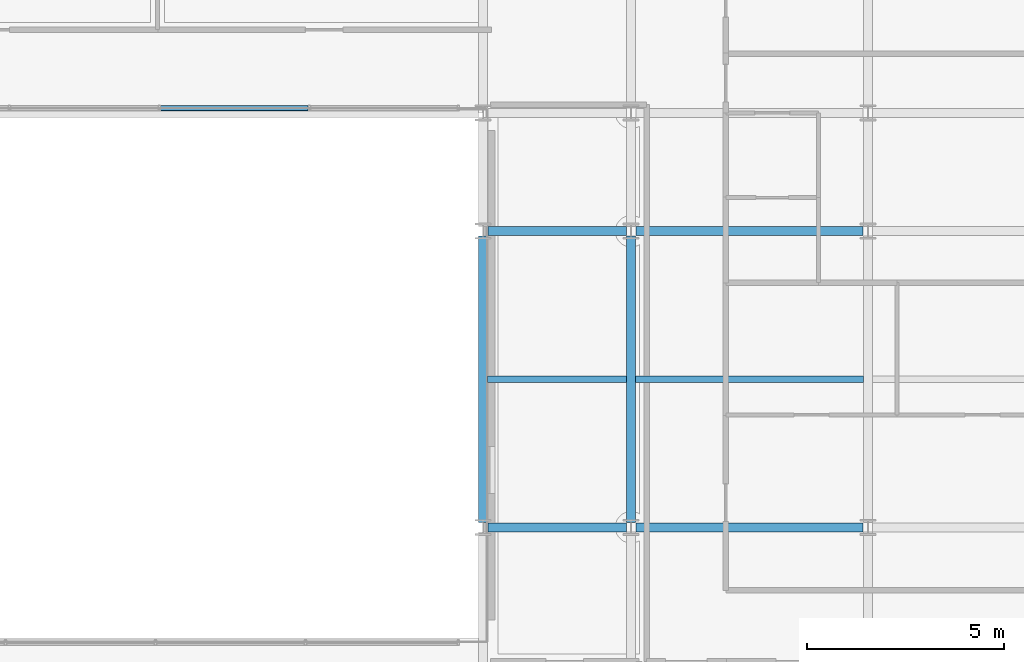
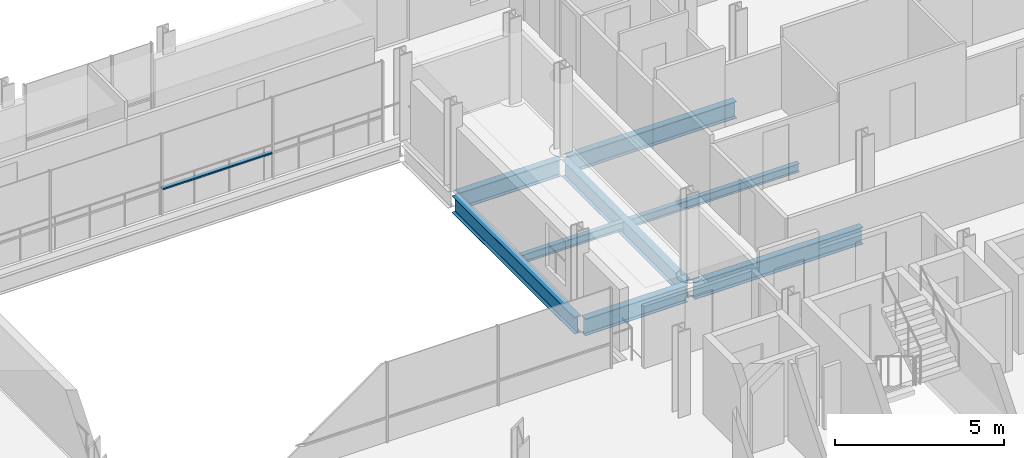
# One storey, part 18 of 40: 8 beams, 1 member, 1 element without a shape of its own.
"""IFC4 building model written with IfcOpenShell, lengths in metres."""

import ifcopenshell
import ifcopenshell.guid

model = None  # the IFC model being written
_history = None  # IfcOwnerHistory: only IFC2X3 demands one
_inside = {}  # id of a spatial element -> (the spatial element, [elements in it])
_under = {}  # id of a project, library or spatial element -> (it, [spatial elements below it])
_declared = {}  # id of a project -> (the project, [libraries it declares])
_typed = {}  # id of a type object -> (the type object, [elements of that type])
_made_of = {}  # id of a material, layer set ... -> (it, [elements and type objects made of it])


def new_model(schema):
    """Start an empty IFC model of exactly this schema.

    Asked for "IFC4X3", IfcOpenShell would pick the latest addendum, in which some entities
    have other attributes; the version numbers below select the first issue.
    IFC2X3 requires an IfcOwnerHistory on every rooted entity: one is made here for all.
    """
    global model, _history
    if schema == "IFC4X3":
        model = ifcopenshell.file(schema_version=(4, 3, 0, 0))
    else:
        model = ifcopenshell.file(schema=schema)
    _inside.clear()
    _under.clear()
    _declared.clear()
    _typed.clear()
    _made_of.clear()
    _history = None
    if model.schema == "IFC2X3":
        org = make("IfcOrganization", Name="unknown")
        user = make(
            "IfcPersonAndOrganization",
            ThePerson=make("IfcPerson", FamilyName="unknown"),
            TheOrganization=org,
        )
        app = make(
            "IfcApplication",
            ApplicationDeveloper=org,
            Version="unknown",
            ApplicationFullName="unknown",
            ApplicationIdentifier="unknown",
        )
        _history = make(
            "IfcOwnerHistory",
            OwningUser=user,
            OwningApplication=app,
            ChangeAction="ADDED",
            CreationDate=0,
        )
    return model


def make(cls, **values):
    """One entity of the class cls with the attributes given. An attribute that is None is left unset."""
    return model.create_entity(
        cls, **{name: value for name, value in values.items() if value is not None}
    )


def rooted(cls, **values):
    """An entity with a GlobalId (a new one), such as an element, a storey or a relation."""
    return make(cls, GlobalId=ifcopenshell.guid.new(), OwnerHistory=_history, **values)


def si_unit(unit_type, name, prefix=None):
    """IfcSIUnit, for example si_unit("LENGTHUNIT", "METRE", prefix="MILLI")."""
    return make("IfcSIUnit", UnitType=unit_type, Prefix=prefix, Name=name)


def assignment(units):
    """IfcUnitAssignment: the units of a project."""
    return None if units is None else make("IfcUnitAssignment", Units=units)


def point(xyz):
    """IfcCartesianPoint."""
    return None if xyz is None else make("IfcCartesianPoint", Coordinates=xyz)


def direction(xyz):
    """IfcDirection."""
    return None if xyz is None else make("IfcDirection", DirectionRatios=xyz)


def frame(location, z_axis=None, x_axis=None):
    """IfcAxis2Placement3D, a coordinate frame: its origin and axes. An axis left out is left unset."""
    return make(
        "IfcAxis2Placement3D",
        Location=point(location),
        Axis=direction(z_axis),
        RefDirection=direction(x_axis),
    )


def frame_2d(location, x_axis=None):
    """IfcAxis2Placement2D, a coordinate frame in the plane: its origin and x axis."""
    return make(
        "IfcAxis2Placement2D", Location=point(location), RefDirection=direction(x_axis)
    )


def origin():
    """The frame at (0, 0, 0) with its axes left unset."""
    return frame((0.0, 0.0, 0.0))


def origin_2d():
    """The frame at (0, 0) in the plane with its x axis left unset."""
    return frame_2d((0.0, 0.0))


def place(relative_to, where):
    """IfcLocalPlacement: puts the frame where relative to a parent placement (None: the world)."""
    return make(
        "IfcLocalPlacement", PlacementRelTo=relative_to, RelativePlacement=where
    )


def context(
    kind, dimensions, precision=None, world=None, true_north=None, identifier=None
):
    """IfcGeometricRepresentationContext, for example the 3D "Model" context."""
    return make(
        "IfcGeometricRepresentationContext",
        ContextIdentifier=identifier,
        ContextType=kind,
        CoordinateSpaceDimension=dimensions,
        Precision=precision,
        WorldCoordinateSystem=world,
        TrueNorth=true_north,
    )


def subcontext(parent, identifier, kind, view, scale=None):
    """IfcGeometricRepresentationSubContext, for example "Body" below "Model"."""
    return make(
        "IfcGeometricRepresentationSubContext",
        ContextIdentifier=identifier,
        ContextType=kind,
        ParentContext=parent,
        TargetScale=scale,
        TargetView=view,
    )


def project(units=None, contexts=None):
    """IfcProject with its units and contexts."""
    return rooted(
        "IfcProject",
        Name="project",
        RepresentationContexts=contexts,
        UnitsInContext=assignment(units),
    )


def spatial(cls, under=None, at=None, **own):
    """A site, building, storey or space (cls), placed at a placement, below another one or the project."""
    s = rooted(cls, ObjectPlacement=at, **own)
    if under is not None:
        _under.setdefault(under.id(), (under, []))[1].append(s)
    return s


def profile(cls, at=None, kind="AREA", **sizes):
    """A parametric profile (cls). Its sizes go by their IFC names, for example OverallWidth=200.0."""
    return make(cls, ProfileType=kind, Position=at, **sizes)


def hollow_rectangle(**sizes):
    """IfcRectangleHollowProfileDef."""
    return profile("IfcRectangleHollowProfileDef", **sizes)


def i_section(**sizes):
    """IfcIShapeProfileDef."""
    return profile("IfcIShapeProfileDef", **sizes)


def extrude(swept, where, along, depth):
    """IfcExtrudedAreaSolid: the profile swept, set in the frame where, extruded along a direction by depth."""
    return make(
        "IfcExtrudedAreaSolid",
        SweptArea=swept,
        Position=where,
        ExtrudedDirection=direction(along),
        Depth=depth,
    )


def shape(context_of_items, identifier, shape_type, items):
    """IfcShapeRepresentation: the items that make up one representation, for example the "Body"."""
    return make(
        "IfcShapeRepresentation",
        ContextOfItems=context_of_items,
        RepresentationIdentifier=identifier,
        RepresentationType=shape_type,
        Items=items,
    )


def material(Name=None, Category=None):
    """IfcMaterial."""
    return make("IfcMaterial", Name=Name, Category=Category)


def layer(
    of_material, thickness, ventilated=None, Name=None, Category=None, Priority=None
):
    """IfcMaterialLayer: one layer of a wall or slab, of a material (None: an air gap)."""
    return make(
        "IfcMaterialLayer",
        Material=of_material,
        LayerThickness=thickness,
        IsVentilated=ventilated,
        Name=Name,
        Category=Category,
        Priority=Priority,
    )


def layer_set(layers, Name=None):
    """IfcMaterialLayerSet."""
    return make("IfcMaterialLayerSet", MaterialLayers=layers, LayerSetName=Name)


def material_profile(
    of_material, cross_section, Name=None, Category=None, Priority=None
):
    """IfcMaterialProfile: a cross section and its material."""
    return make(
        "IfcMaterialProfile",
        Name=Name,
        Material=of_material,
        Profile=cross_section,
        Priority=Priority,
        Category=Category,
    )


def profile_set(profiles, Name=None, composite=None):
    """IfcMaterialProfileSet."""
    return make(
        "IfcMaterialProfileSet",
        Name=Name,
        MaterialProfiles=profiles,
        CompositeProfile=composite,
    )


def made_of(thing, what):
    """Note that an element or type object is made of a material, layer set ...; save() writes the relation."""
    if what is not None:
        _made_of.setdefault(what.id(), (what, []))[1].append(thing)
    return thing


def type_object(cls, material=None, **own):
    """A type object (cls), such as IfcWallType, which elements share."""
    return made_of(rooted(cls, **own), material)


def element(
    cls,
    number,
    at=None,
    inside=None,
    cuts=None,
    type_object=None,
    material=None,
    context=None,
    identifier="Body",
    shape_type=None,
    held_by="IfcProductDefinitionShape",
    body=None,
    shapes=None,
    **own,
):
    """One element of the class cls, such as IfcWall. Its Tag is "e" and its number.

    at: its placement. inside: the storey or other place that contains it. cuts: it is an
    opening in that element (IfcRelVoidsElement). A single representation is given by context,
    identifier, shape_type and body (its items); several are given by shapes. held_by: the class
    of the entity that holds the representations. save() writes the other relations.
    """
    e = rooted(cls, Tag="e%d" % number, ObjectPlacement=at, **own)
    if body is not None:
        shapes = [shape(context, identifier, shape_type, body)]
    if shapes is not None:
        e.Representation = make(held_by, Representations=shapes)
    if inside is not None:
        _inside.setdefault(inside.id(), (inside, []))[1].append(e)
    if cuts is not None:
        rooted(
            "IfcRelVoidsElement", RelatingBuildingElement=cuts, RelatedOpeningElement=e
        )
    if type_object is not None:
        _typed.setdefault(type_object.id(), (type_object, []))[1].append(e)
    return made_of(e, material)


def aggregate(whole, parts):
    """IfcRelAggregates: a whole, such as a stair, and the parts it consists of."""
    return rooted("IfcRelAggregates", RelatingObject=whole, RelatedObjects=parts)


def save(model, path):
    """Write the relations noted so far, then the file.

    IfcRelAggregates (storeys below a building ...), IfcRelContainedInSpatialStructure (elements
    in a storey), IfcRelDefinesByType, IfcRelAssociatesMaterial and IfcRelDeclares: one each for
    every whole, place, type object, material and project.
    """
    for whole, parts in _under.values():
        aggregate(whole, parts)
    for where, things in _inside.values():
        rooted(
            "IfcRelContainedInSpatialStructure",
            RelatedElements=things,
            RelatingStructure=where,
        )
    for kind, things in _typed.values():
        rooted("IfcRelDefinesByType", RelatedObjects=things, RelatingType=kind)
    for what, things in _made_of.values():
        rooted("IfcRelAssociatesMaterial", RelatedObjects=things, RelatingMaterial=what)
    for by, libraries in _declared.values():
        rooted("IfcRelDeclares", RelatingContext=by, RelatedDefinitions=libraries)
    model.write(path)


model = new_model("IFC4")

# Units and contexts
model_context = context("Model", 3, precision=1e-05, world=origin(), true_north=direction((0.0, 1.0)))
body_context = subcontext(model_context, "Body", "Model", "MODEL_VIEW")
ifc_project = project(units=[si_unit("LENGTHUNIT", "METRE"), si_unit("AREAUNIT", "SQUARE_METRE"), si_unit("VOLUMEUNIT", "CUBIC_METRE"), si_unit("PLANEANGLEUNIT", "RADIAN"), si_unit("MASSUNIT", "GRAM", prefix="KILO")], contexts=[model_context])

# Site, building, storey
site_placement = place(None, origin())
site = spatial("IfcSite", under=ifc_project, at=site_placement, CompositionType="ELEMENT")
building_placement = place(site_placement, origin())
building = spatial("IfcBuilding", under=site, at=building_placement, Name="Brevholm Reach", CompositionType="ELEMENT")
storey_placement = place(building_placement, frame((0.0, 0.0, 160.39990234375)))
storey = spatial("IfcBuildingStorey", under=building, at=storey_placement, Name="L48", CompositionType="ELEMENT", Elevation=160.39990234375)

# Beams
ifc_material_1 = material(Name="Structural Steel S355J2", Category="steel")
ifc_material_profile_1 = material_profile(ifc_material_1, i_section(OverallWidth=0.1650390625, OverallDepth=0.303466796875, WebThickness=0.006103515625, FlangeThickness=0.01025390625, FilletRadius=0.0087890625, at=origin_2d()), Name="UKB 305x165x40")
ifc_profile_set_1 = profile_set([ifc_material_profile_1], Name="Structural Steel S355J2")
beam_type_1 = type_object("IfcBeamType", Name="BM-B305", PredefinedType="BEAM", material=ifc_profile_set_1)
beam_1_placement = place(storey_placement, frame((38.364501953125, 19.75, -0.37158203125), z_axis=(1.0, 0.0, 0.0), x_axis=(0.0, 1.0, 0.0)))
element("IfcBeam", 1, at=beam_1_placement, inside=storey, type_object=beam_type_1, Name="L48 Composite Secondary Floor Beam", PredefinedType="BEAM", context=body_context, shape_type="SweptSolid", body=[
    extrude(i_section(OverallWidth=0.1650390625, OverallDepth=0.303466796875, WebThickness=0.006103515625, FlangeThickness=0.01025390625, FilletRadius=0.0087890625, at=origin_2d()), origin(), (0.0, 0.0, 1.0), 3.52099609375),
])
beam_2_placement = place(storey_placement, frame((42.114501953125, 19.75, -0.37158203125), z_axis=(1.0, 0.0, 0.0), x_axis=(0.0, 1.0, 0.0)))
element("IfcBeam", 2, at=beam_2_placement, inside=storey, type_object=beam_type_1, Name="L48 Composite Secondary Floor Beam", PredefinedType="BEAM", context=body_context, shape_type="SweptSolid", body=[
    extrude(i_section(OverallWidth=0.1650390625, OverallDepth=0.303466796875, WebThickness=0.006103515625, FlangeThickness=0.01025390625, FilletRadius=0.0087890625, at=origin_2d()), origin(), (0.0, 0.0, 1.0), 5.77099609375),
])
ifc_material_2 = material(Name="Structural Steel S355J2", Category="steel")
ifc_material_profile_2 = material_profile(ifc_material_2, i_section(OverallWidth=0.22900390625, OverallDepth=0.6123046875, WebThickness=0.011962890625, FlangeThickness=0.01953125, FilletRadius=0.0126953125, at=origin_2d()), Name="UKB 610x229x125")
ifc_profile_set_2 = profile_set([ifc_material_profile_2], Name="Structural Steel S355J2")
beam_type_2 = type_object("IfcBeamType", Name="BM-SP610", PredefinedType="SPANDREL", material=ifc_profile_set_2)
beam_3_placement = place(storey_placement, frame((38.3701171875, 16.0, -0.526123046875), z_axis=(1.0, 0.0, 0.0), x_axis=(0.0, 1.0, 0.0)))
element("IfcBeam", 3, at=beam_3_placement, inside=storey, type_object=beam_type_2, Name="L48 SP-01 Framing Beam", PredefinedType="SPANDREL", context=body_context, shape_type="SweptSolid", body=[
    extrude(i_section(OverallWidth=0.22900390625, OverallDepth=0.6123046875, WebThickness=0.011962890625, FlangeThickness=0.01953125, FilletRadius=0.0126953125, at=origin_2d()), origin(), (0.0, 0.0, 1.0), 3.509765625),
])
beam_4_placement = place(storey_placement, frame((42.1201171875, 16.0, -0.526123046875), z_axis=(1.0, 0.0, 0.0), x_axis=(0.0, 1.0, 0.0)))
element("IfcBeam", 4, at=beam_4_placement, inside=storey, type_object=beam_type_2, Name="L48 SP-01 Framing Beam", PredefinedType="SPANDREL", context=body_context, shape_type="SweptSolid", body=[
    extrude(i_section(OverallWidth=0.22900390625, OverallDepth=0.6123046875, WebThickness=0.011962890625, FlangeThickness=0.01953125, FilletRadius=0.0126953125, at=origin_2d()), origin(), (0.0, 0.0, 1.0), 5.759765625),
])
beam_5_placement = place(storey_placement, frame((38.3701171875, 23.5, -0.526123046875), z_axis=(1.0, 0.0, 0.0), x_axis=(0.0, 1.0, 0.0)))
element("IfcBeam", 5, at=beam_5_placement, inside=storey, type_object=beam_type_2, Name="L48 SP-01 Framing Beam", PredefinedType="SPANDREL", context=body_context, shape_type="SweptSolid", body=[
    extrude(i_section(OverallWidth=0.22900390625, OverallDepth=0.6123046875, WebThickness=0.011962890625, FlangeThickness=0.01953125, FilletRadius=0.0126953125, at=origin_2d()), origin(), (0.0, 0.0, 1.0), 3.509765625),
])
beam_6_placement = place(storey_placement, frame((42.1201171875, 23.5, -0.526123046875), z_axis=(1.0, 0.0, 0.0), x_axis=(0.0, 1.0, 0.0)))
element("IfcBeam", 6, at=beam_6_placement, inside=storey, type_object=beam_type_2, Name="L48 SP-01 Framing Beam", PredefinedType="SPANDREL", context=body_context, shape_type="SweptSolid", body=[
    extrude(i_section(OverallWidth=0.22900390625, OverallDepth=0.6123046875, WebThickness=0.011962890625, FlangeThickness=0.01953125, FilletRadius=0.0126953125, at=origin_2d()), origin(), (0.0, 0.0, 1.0), 5.759765625),
])
for number, where, z_axis, x_axis, name in (
    (7, (38.25, 16.1201171875, -0.526123046875), (0.0, 1.0, 0.0), (-1.0, 0.0, 0.0), "L48 SP-01 Framing Beam"),
    (8, (42.0, 16.1201171875, -0.526123046875), (0.0, 1.0, 0.0), (-1.0, 0.0, 0.0), "L48 SP-01 Framing Beam"),
):
    element("IfcBeam", number, at=place(storey_placement, frame(where, z_axis=z_axis, x_axis=x_axis)), inside=storey, type_object=beam_type_2, Name=name, PredefinedType="SPANDREL", context=body_context, shape_type="SweptSolid", body=[
        extrude(i_section(OverallWidth=0.22900390625, OverallDepth=0.6123046875, WebThickness=0.011962890625, FlangeThickness=0.01953125, FilletRadius=0.0126953125, at=origin_2d()), origin(), (0.0, 0.0, 1.0), 7.259765625),
    ])

# Curtain wall, member
ifc_material_3 = material(Name="Dark Anodised Aluminium 6063-T6 and Solar-Control Glass", Category="aluminium")
ifc_layer = layer(ifc_material_3, 0.139892578125)
ifc_layer_set = layer_set([ifc_layer], Name="Dark Anodised Aluminium 6063-T6 and Solar-Control Glass")
curtain_wall_type = type_object("IfcCurtainWallType", Name="CW-02", PredefinedType="NOTDEFINED", material=ifc_layer_set)
curtain_wall_placement = place(storey_placement, origin())
curtain_wall = element("IfcCurtainWall", 9, at=curtain_wall_placement, inside=storey, type_object=curtain_wall_type, Name="L48 Curtain Wall CW-02", PredefinedType="NOTDEFINED")
ifc_material_4 = material(Name="Dark Anodised Aluminium 6063-T6", Category="aluminium")
ifc_material_profile_3 = material_profile(ifc_material_4, hollow_rectangle(XDim=0.06005859375, YDim=0.139892578125, WallThickness=0.0048828125, InnerFilletRadius=0.0048828125, OuterFilletRadius=0.010009765625, at=origin_2d()), Name="RHS 140x60x5")
ifc_profile_set_3 = profile_set([ifc_material_profile_3], Name="Dark Anodised Aluminium 6063-T6")
member_type = type_object("IfcMemberType", Name="CWT-140", PredefinedType="NOTDEFINED", material=ifc_profile_set_3)
member_placement = place(storey_placement, frame((33.820068359375, 26.6201171875, 0.900146484375), z_axis=(-1.0, 0.0, 0.0), x_axis=(0.0, 0.0, 1.0)))
member = element("IfcMember", 10, at=member_placement, type_object=member_type, Name="CT-140 Transom 2.1", ObjectType="TRANSOM", PredefinedType="USERDEFINED", context=body_context, shape_type="SweptSolid", body=[
    extrude(hollow_rectangle(XDim=0.06005859375, YDim=0.139892578125, WallThickness=0.0048828125, InnerFilletRadius=0.0048828125, OuterFilletRadius=0.010009765625, at=origin_2d()), origin(), (0.0, 0.0, 1.0), 3.739990234375),
])
aggregate(curtain_wall, [member])

save(model, "model.ifc")
